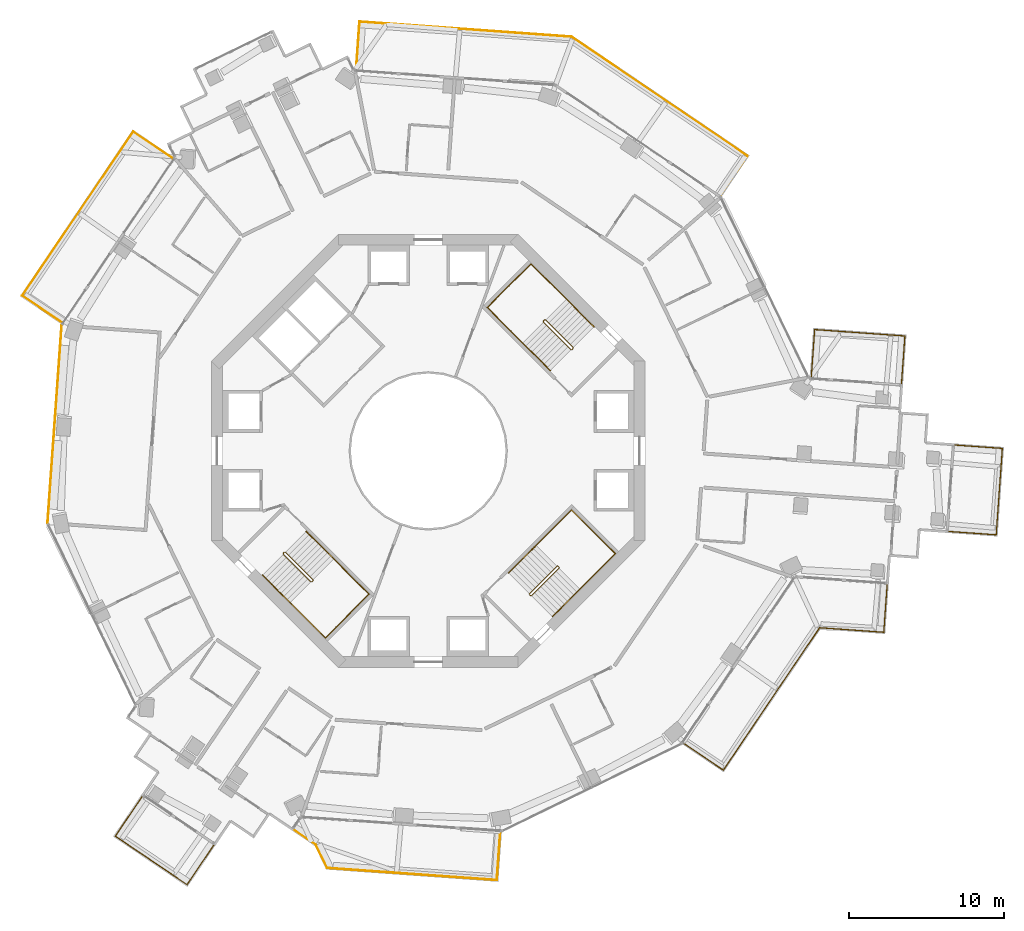
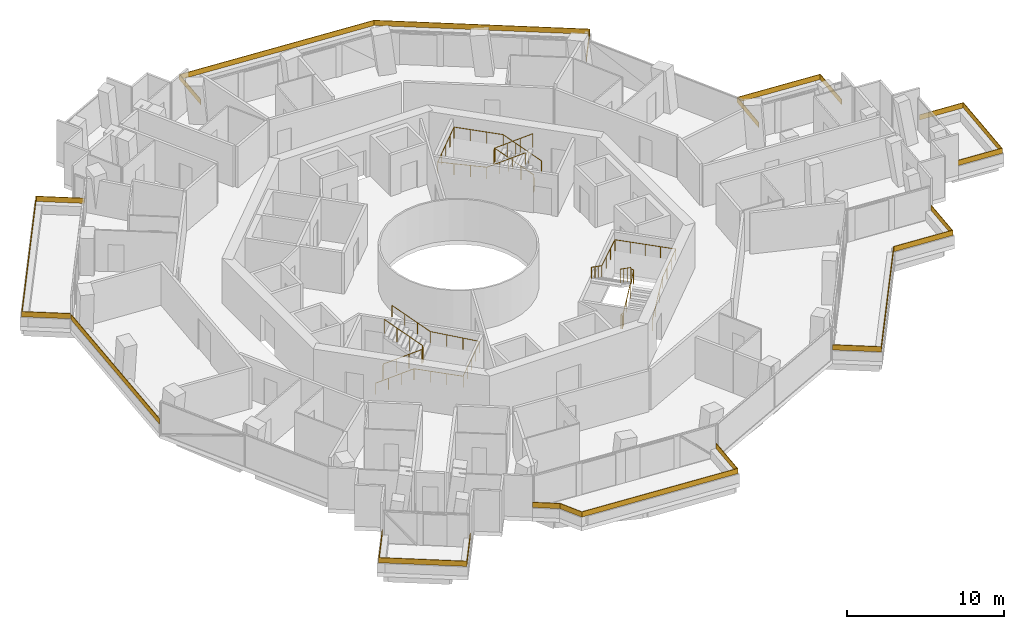
# One storey, part 22 of 22: 14 railings.
"""IFC4 building model written with IfcOpenShell, lengths in metres."""

from ifc_helpers import new_model, si_unit, direction, frame, origin, origin_2d, place, context, subcontext, project, spatial, polyline, rectangle, circle, outline, extrude, material, layer, layer_set, type_object, element, save


model = new_model("IFC4")

# Units and contexts
model_context = context("Model", 3, precision=1e-05, world=origin(), true_north=direction((0.0, 1.0)))
body_context = subcontext(model_context, "Body", "Model", "MODEL_VIEW")
ifc_project = project(units=[si_unit("LENGTHUNIT", "METRE"), si_unit("AREAUNIT", "SQUARE_METRE"), si_unit("VOLUMEUNIT", "CUBIC_METRE"), si_unit("PLANEANGLEUNIT", "RADIAN"), si_unit("MASSUNIT", "GRAM", prefix="KILO")], contexts=[model_context])

# Site, building, storey
site_placement = place(None, origin())
site = spatial("IfcSite", under=ifc_project, at=site_placement, CompositionType="ELEMENT")
building_placement = place(site_placement, origin())
building = spatial("IfcBuilding", under=site, at=building_placement, Name="Verdalira Terraces Hotel", CompositionType="ELEMENT")
storey_placement = place(building_placement, frame((0.0, 0.0, 140.0)))
storey = spatial("IfcBuildingStorey", under=building, at=storey_placement, Name="L33", CompositionType="ELEMENT", Elevation=140.0)

# Railings
ifc_material_1 = material(Name="Laminated glass", Category="glass")
ifc_layer = layer(ifc_material_1, 0.0400390625)
ifc_layer_set = layer_set([ifc_layer], Name="Balcony glass guard 400")
railing_type_1 = type_object("IfcRailingType", Name="Balcony glass guard 400", PredefinedType="GUARDRAIL", material=ifc_layer_set)
railing_1_placement = place(storey_placement, frame((0.0, 0.0, 0.699951)))
element("IfcRailing", 1, at=railing_1_placement, inside=storey, type_object=railing_type_1, Name="Balcony glass guard", PredefinedType="GUARDRAIL", context=body_context, shape_type="SweptSolid", body=[
    extrude(outline(polyline([(-19.068115, 20.603271), (-26.218262, 10.034668), (-23.667969, 8.309326), (-23.69043, 8.276367), (-26.273682, 10.023926), (-19.078857, 20.658936), (-16.495605, 18.911133), (-16.517822, 18.87793), (-19.068115, 20.603271)])), origin(), (0.0, 0.0, 1.0), 0.400146),
])
railing_2_placement = place(storey_placement, frame((0.0, 0.0, 0.699951)))
element("IfcRailing", 2, at=railing_2_placement, inside=storey, type_object=railing_type_1, Name="Balcony glass guard", PredefinedType="GUARDRAIL", context=body_context, shape_type="SweptSolid", body=[
    extrude(outline(polyline([(-20.199219, -24.895264), (-15.593994, -28.010986), (-13.868652, -25.460693), (-13.835693, -25.483154), (-15.583252, -28.066406), (-20.254639, -24.906006), (-18.50708, -22.322754), (-18.473877, -22.345215), (-20.199219, -24.895264)])), origin(), (0.0, 0.0, 1.0), 0.400146),
])
railing_3_placement = place(storey_placement, frame((0.0, 0.0, 0.699951)))
element("IfcRailing", 3, at=railing_3_placement, inside=storey, type_object=railing_type_1, Name="Balcony glass guard", PredefinedType="GUARDRAIL", context=body_context, shape_type="SweptSolid", body=[
    extrude(outline(polyline([(-7.241455, -25.451904), (-6.516602, -26.942871), (4.418701, -27.7229), (4.637695, -24.651855), (4.677734, -24.654541), (4.455811, -27.765625), (-6.54248, -26.981201), (-7.272705, -25.479004), (-8.724121, -24.496826), (-8.70166, -24.463867), (-7.241455, -25.451904)])), origin(), (0.0, 0.0, 1.0), 0.400146),
])
railing_4_placement = place(storey_placement, frame((0.0, 0.0, 0.699951)))
element("IfcRailing", 4, at=railing_4_placement, inside=storey, type_object=railing_type_1, Name="Balcony glass guard", PredefinedType="GUARDRAIL", context=body_context, shape_type="SweptSolid", body=[
    extrude(outline(polyline([(19.068115, -20.603271), (25.289062, -11.408203), (29.425781, -11.703369), (29.644775, -8.63208), (29.68457, -8.63501), (29.462646, -11.746094), (25.309082, -11.449707), (19.078857, -20.658936), (16.495605, -18.911133), (16.517822, -18.87793), (19.068115, -20.603271)])), origin(), (0.0, 0.0, 1.0), 0.400146),
])
railing_5_placement = place(storey_placement, frame((0.0, 0.0, 0.699951)))
element("IfcRailing", 5, at=railing_5_placement, inside=storey, type_object=railing_type_1, Name="Balcony glass guard", PredefinedType="GUARDRAIL", context=body_context, shape_type="SweptSolid", body=[
    extrude(outline(polyline([(36.692383, -5.404297), (37.087891, 0.141602), (34.016602, 0.360596), (34.019531, 0.400635), (37.130615, 0.178711), (36.729248, -5.447021), (33.618164, -5.225098), (33.621094, -5.185303), (36.692383, -5.404297)])), origin(), (0.0, 0.0, 1.0), 0.400146),
])
railing_6_placement = place(storey_placement, frame((0.0, 0.0, 0.699951)))
element("IfcRailing", 6, at=railing_6_placement, inside=storey, type_object=railing_type_1, Name="Balcony glass guard", PredefinedType="GUARDRAIL", context=body_context, shape_type="SweptSolid", body=[
    extrude(outline(polyline([(30.788818, 7.408203), (24.998047, 7.821289), (24.779053, 4.75), (24.739258, 4.75293), (24.961182, 7.864014), (30.831787, 7.445312), (30.609863, 4.334229), (30.569824, 4.336914), (30.788818, 7.408203)])), origin(), (0.0, 0.0, 1.0), 0.400146),
])
railing_7_placement = place(storey_placement, frame((0.0, 0.0, 0.699951)))
element("IfcRailing", 7, at=railing_7_placement, inside=storey, type_object=railing_type_1, Name="Balcony glass guard", PredefinedType="GUARDRAIL", context=body_context, shape_type="SweptSolid", body=[
    extrude(outline(polyline([(20.603271, 19.068115), (9.251709, 26.747803), (-4.418701, 27.7229), (-4.637695, 24.651855), (-4.677734, 24.654541), (-4.455811, 27.765625), (9.265381, 26.787109), (20.658936, 19.078857), (18.911133, 16.495605), (18.87793, 16.517822), (20.603271, 19.068115)])), origin(), (0.0, 0.0, 1.0), 0.400146),
])
railing_8_placement = place(storey_placement, frame((-24.146973, 1.722412, 0.699951), z_axis=(0.0, 0.0, 1.0), x_axis=(-0.071149267, -0.997465679, 0.0)))
element("IfcRailing", 8, at=railing_8_placement, inside=storey, type_object=railing_type_1, Name="Loggia glass guard", PredefinedType="GUARDRAIL", context=body_context, shape_type="SweptSolid", body=[
    extrude(rectangle(XDim=12.840088, YDim=0.040039, at=origin_2d()), origin(), (0.0, 0.0, 1.0), 0.399902),
])
ifc_material_2 = material(Name="Stainless steel", Category="steel")
railing_type_2 = type_object("IfcRailingType", Name="Stair guard 1100", PredefinedType="GUARDRAIL", material=ifc_material_2)
railing_9_placement = place(storey_placement, frame((9.369141, 6.611328, 0.0)))
element("IfcRailing", 9, at=railing_9_placement, inside=storey, type_object=railing_type_2, Name="L33 ST1 stair guard 1", PredefinedType="GUARDRAIL", context=body_context, shape_type="SweptSolid", body=[
    extrude(circle(Radius=0.023926, at=origin_2d()), frame((0.0, 0.0, 1.076172), z_axis=(-0.70832698, -0.705884473, 0.0), x_axis=(0.705884473, -0.70832698, 0.0)), (0.0, 0.0, 1.0), 0.099854),
    extrude(circle(Radius=0.023926, at=origin_2d()), frame((-0.070801, -0.070557, 1.076172), z_axis=(0.300162975, 0.599290904, 0.742127078), x_axis=(-0.894118129, 0.447831187, 0.0)), (0.0, 0.0, 1.0), 0.23584),
    extrude(circle(Radius=0.023926, at=origin_2d()), frame((0.0, 0.070801, 1.250977), z_axis=(-0.599637504, 0.599637504, 0.52997144), x_axis=(-0.707106781, -0.707106781, 0.0)), (0.0, 0.0, 1.0), 2.97168),
    extrude(circle(Radius=0.023926, at=origin_2d()), frame((-1.781982, 1.852783, 2.826172), z_axis=(-1.0, 0.0, 0.0), x_axis=(0.0, -1.0, 0.0)), (0.0, 0.0, 1.0), 0.070557),
    extrude(circle(Radius=0.023926, at=origin_2d()), frame((-1.852539, 1.852783, 2.826172), z_axis=(-0.707106781, -0.707106781, 0.0), x_axis=(0.707106781, -0.707106781, 0.0)), (0.0, 0.0, 1.0), 0.100098),
    extrude(circle(Radius=0.023926, at=origin_2d()), frame((-1.92334, 1.781982, 2.826172), z_axis=(0.0, -0.373842709, 0.927492118), x_axis=(1.0, 0.0, 0.0)), (0.0, 0.0, 1.0), 0.188721),
    extrude(circle(Radius=0.023926, at=origin_2d()), frame((-1.92334, 1.711426, 3.000977), z_axis=(0.599637504, -0.599637504, 0.52997144), x_axis=(0.707106781, 0.707106781, 0.0)), (0.0, 0.0, 1.0), 2.97168),
    extrude(circle(Radius=0.020996, at=origin_2d()), origin(), (0.0, 0.0, 1.0), 1.052002),
    extrude(circle(Radius=0.020996, at=origin_2d()), frame((-0.070801, -0.070557, 0.0)), (0.0, 0.0, 1.0), 1.052002),
    extrude(circle(Radius=0.020996, at=origin_2d()), frame((0.0, 0.070801, 0.175049)), (0.0, 0.0, 1.0), 1.052002),
    extrude(circle(Radius=0.020996, at=origin_2d()), frame((-0.593994, 0.664795, 0.699951)), (0.0, 0.0, 1.0), 1.052002),
    extrude(circle(Radius=0.020996, at=origin_2d()), frame((-1.187988, 1.258789, 1.225098)), (0.0, 0.0, 1.0), 1.052002),
    extrude(circle(Radius=0.020996, at=origin_2d()), frame((-1.781982, 1.852783, 1.75)), (0.0, 0.0, 1.0), 1.052002),
    extrude(circle(Radius=0.020996, at=origin_2d()), frame((-1.852539, 1.852783, 1.75)), (0.0, 0.0, 1.0), 1.052002),
    extrude(circle(Radius=0.020996, at=origin_2d()), frame((-1.92334, 1.781982, 1.75)), (0.0, 0.0, 1.0), 1.052002),
    extrude(circle(Radius=0.020996, at=origin_2d()), frame((-1.92334, 1.711426, 1.925049)), (0.0, 0.0, 1.0), 1.052002),
    extrude(circle(Radius=0.020996, at=origin_2d()), frame((-1.329346, 1.117432, 2.449951)), (0.0, 0.0, 1.0), 1.052002),
    extrude(circle(Radius=0.020996, at=origin_2d()), frame((-0.735352, 0.523438, 2.975098)), (0.0, 0.0, 1.0), 1.052002),
    extrude(circle(Radius=0.020996, at=origin_2d()), frame((-0.141357, -0.070557, 3.5)), (0.0, 0.0, 1.0), 1.052002),
])
railing_10_placement = place(storey_placement, frame((-9.369141, -6.611328, 0.0)))
element("IfcRailing", 10, at=railing_10_placement, inside=storey, type_object=railing_type_2, Name="L33 ST2 stair guard 1", PredefinedType="GUARDRAIL", context=body_context, shape_type="SweptSolid", body=[
    extrude(circle(Radius=0.023926, at=origin_2d()), frame((0.0, 0.0, 1.076172), z_axis=(0.70832698, 0.705884473, 0.0), x_axis=(-0.705884473, 0.70832698, 0.0)), (0.0, 0.0, 1.0), 0.099854),
    extrude(circle(Radius=0.023926, at=origin_2d()), frame((0.070801, 0.070557, 1.076172), z_axis=(-0.300162975, -0.599290904, 0.742127078), x_axis=(0.894118129, -0.447831187, 0.0)), (0.0, 0.0, 1.0), 0.23584),
    extrude(circle(Radius=0.023926, at=origin_2d()), frame((0.0, -0.070801, 1.250977), z_axis=(0.599637504, -0.599637504, 0.52997144), x_axis=(0.707106781, 0.707106781, 0.0)), (0.0, 0.0, 1.0), 2.97168),
    extrude(circle(Radius=0.023926, at=origin_2d()), frame((1.781982, -1.852783, 2.826172), z_axis=(1.0, 0.0, 0.0), x_axis=(0.0, 1.0, 0.0)), (0.0, 0.0, 1.0), 0.070557),
    extrude(circle(Radius=0.023926, at=origin_2d()), frame((1.852539, -1.852783, 2.826172), z_axis=(0.707106781, 0.707106781, 0.0), x_axis=(-0.707106781, 0.707106781, 0.0)), (0.0, 0.0, 1.0), 0.100098),
    extrude(circle(Radius=0.023926, at=origin_2d()), frame((1.92334, -1.781982, 2.826172), z_axis=(0.0, 0.373842709, 0.927492118), x_axis=(-1.0, 0.0, 0.0)), (0.0, 0.0, 1.0), 0.188721),
    extrude(circle(Radius=0.023926, at=origin_2d()), frame((1.92334, -1.711426, 3.000977), z_axis=(-0.599637504, 0.599637504, 0.52997144), x_axis=(-0.707106781, -0.707106781, 0.0)), (0.0, 0.0, 1.0), 2.97168),
    extrude(circle(Radius=0.020996, at=origin_2d()), origin(), (0.0, 0.0, 1.0), 1.052002),
    extrude(circle(Radius=0.020996, at=origin_2d()), frame((0.070801, 0.070557, 0.0)), (0.0, 0.0, 1.0), 1.052002),
    extrude(circle(Radius=0.020996, at=origin_2d()), frame((0.0, -0.070801, 0.175049)), (0.0, 0.0, 1.0), 1.052002),
    extrude(circle(Radius=0.020996, at=origin_2d()), frame((0.593994, -0.664795, 0.699951)), (0.0, 0.0, 1.0), 1.052002),
    extrude(circle(Radius=0.020996, at=origin_2d()), frame((1.187988, -1.258789, 1.225098)), (0.0, 0.0, 1.0), 1.052002),
    extrude(circle(Radius=0.020996, at=origin_2d()), frame((1.781982, -1.852783, 1.75)), (0.0, 0.0, 1.0), 1.052002),
    extrude(circle(Radius=0.020996, at=origin_2d()), frame((1.852539, -1.852783, 1.75)), (0.0, 0.0, 1.0), 1.052002),
    extrude(circle(Radius=0.020996, at=origin_2d()), frame((1.92334, -1.781982, 1.75)), (0.0, 0.0, 1.0), 1.052002),
    extrude(circle(Radius=0.020996, at=origin_2d()), frame((1.92334, -1.711426, 1.925049)), (0.0, 0.0, 1.0), 1.052002),
    extrude(circle(Radius=0.020996, at=origin_2d()), frame((1.329346, -1.117432, 2.449951)), (0.0, 0.0, 1.0), 1.052002),
    extrude(circle(Radius=0.020996, at=origin_2d()), frame((0.735352, -0.523438, 2.975098)), (0.0, 0.0, 1.0), 1.052002),
    extrude(circle(Radius=0.020996, at=origin_2d()), frame((0.141357, 0.070557, 3.5)), (0.0, 0.0, 1.0), 1.052002),
])
railing_11_placement = place(storey_placement, frame((6.611328, -9.369141, 0.0)))
element("IfcRailing", 11, at=railing_11_placement, inside=storey, type_object=railing_type_2, Name="L33 ST3 stair guard 1", PredefinedType="GUARDRAIL", context=body_context, shape_type="SweptSolid", body=[
    extrude(circle(Radius=0.023926, at=origin_2d()), frame((0.0, 0.0, 1.076172), z_axis=(-0.705884473, 0.70832698, 0.0), x_axis=(-0.70832698, -0.705884473, 0.0)), (0.0, 0.0, 1.0), 0.099854),
    extrude(circle(Radius=0.023926, at=origin_2d()), frame((-0.070557, 0.070801, 1.076172), z_axis=(0.599290904, -0.300162975, 0.742127078), x_axis=(0.447831187, 0.894118129, 0.0)), (0.0, 0.0, 1.0), 0.23584),
    extrude(circle(Radius=0.023926, at=origin_2d()), frame((0.070801, 0.0, 1.250977), z_axis=(0.599637504, 0.599637504, 0.52997144), x_axis=(-0.707106781, 0.707106781, 0.0)), (0.0, 0.0, 1.0), 2.97168),
    extrude(circle(Radius=0.023926, at=origin_2d()), frame((1.852783, 1.781982, 2.826172), z_axis=(0.0, 1.0, 0.0), x_axis=(-1.0, 0.0, 0.0)), (0.0, 0.0, 1.0), 0.070557),
    extrude(circle(Radius=0.023926, at=origin_2d()), frame((1.852783, 1.852539, 2.826172), z_axis=(-0.707106781, 0.707106781, 0.0), x_axis=(-0.707106781, -0.707106781, 0.0)), (0.0, 0.0, 1.0), 0.100098),
    extrude(circle(Radius=0.023926, at=origin_2d()), frame((1.781982, 1.92334, 2.826172), z_axis=(-0.373842709, 0.0, 0.927492118), x_axis=(0.0, -1.0, 0.0)), (0.0, 0.0, 1.0), 0.188721),
    extrude(circle(Radius=0.023926, at=origin_2d()), frame((1.711426, 1.92334, 3.000977), z_axis=(-0.599637504, -0.599637504, 0.52997144), x_axis=(0.707106781, -0.707106781, 0.0)), (0.0, 0.0, 1.0), 2.97168),
    extrude(circle(Radius=0.020996, at=origin_2d()), origin(), (0.0, 0.0, 1.0), 1.052002),
    extrude(circle(Radius=0.020996, at=origin_2d()), frame((-0.070557, 0.070801, 0.0)), (0.0, 0.0, 1.0), 1.052002),
    extrude(circle(Radius=0.020996, at=origin_2d()), frame((0.070801, 0.0, 0.175049)), (0.0, 0.0, 1.0), 1.052002),
    extrude(circle(Radius=0.020996, at=origin_2d()), frame((0.664795, 0.593994, 0.699951)), (0.0, 0.0, 1.0), 1.052002),
    extrude(circle(Radius=0.020996, at=origin_2d()), frame((1.258789, 1.187988, 1.225098)), (0.0, 0.0, 1.0), 1.052002),
    extrude(circle(Radius=0.020996, at=origin_2d()), frame((1.852783, 1.781982, 1.75)), (0.0, 0.0, 1.0), 1.052002),
    extrude(circle(Radius=0.020996, at=origin_2d()), frame((1.852783, 1.852539, 1.75)), (0.0, 0.0, 1.0), 1.052002),
    extrude(circle(Radius=0.020996, at=origin_2d()), frame((1.781982, 1.92334, 1.75)), (0.0, 0.0, 1.0), 1.052002),
    extrude(circle(Radius=0.020996, at=origin_2d()), frame((1.711426, 1.92334, 1.925049)), (0.0, 0.0, 1.0), 1.052002),
    extrude(circle(Radius=0.020996, at=origin_2d()), frame((1.117432, 1.329346, 2.449951)), (0.0, 0.0, 1.0), 1.052002),
    extrude(circle(Radius=0.020996, at=origin_2d()), frame((0.523438, 0.735352, 2.975098)), (0.0, 0.0, 1.0), 1.052002),
    extrude(circle(Radius=0.020996, at=origin_2d()), frame((-0.070557, 0.141357, 3.5)), (0.0, 0.0, 1.0), 1.052002),
])
ifc_material_3 = material(Name="Stainless steel", Category="steel")
railing_type_3 = type_object("IfcRailingType", Name="Stair handrail 900", PredefinedType="HANDRAIL", material=ifc_material_3)
railing_12_placement = place(storey_placement, frame((10.712646, 8.025635, 0.175049)))
element("IfcRailing", 12, at=railing_12_placement, inside=storey, type_object=railing_type_3, Name="L33 ST1 stair handrail 1", PredefinedType="HANDRAIL", context=body_context, shape_type="SweptSolid", body=[
    extrude(circle(Radius=0.023926, at=origin_2d()), frame((0.0, 0.0, 0.875977), z_axis=(-0.599637504, 0.599637504, 0.52997144), x_axis=(-0.707106781, -0.707106781, 0.0)), (0.0, 0.0, 1.0), 2.97168),
    extrude(circle(Radius=0.023926, at=origin_2d()), frame((-1.781982, 1.781982, 2.450684), z_axis=(-0.707106781, 0.707106781, 0.0), x_axis=(-0.707106781, -0.707106781, 0.0)), (0.0, 0.0, 1.0), 3.22998),
    extrude(circle(Radius=0.023926, at=origin_2d()), frame((-4.065918, 4.065918, 2.450684), z_axis=(-0.707106781, -0.707106781, 0.0), x_axis=(0.707106781, -0.707106781, 0.0)), (0.0, 0.0, 1.0), 4.0),
    extrude(circle(Radius=0.023926, at=origin_2d()), frame((-6.894287, 1.237549, 2.450684), z_axis=(0.706070637, -0.706070637, 0.054115729), x_axis=(0.707106781, 0.707106781, 0.0)), (0.0, 0.0, 1.0), 3.234619),
    extrude(circle(Radius=0.023926, at=origin_2d()), frame((-4.610352, -1.046387, 2.625977), z_axis=(0.599637504, -0.599637504, 0.52997144), x_axis=(0.707106781, 0.707106781, 0.0)), (0.0, 0.0, 1.0), 2.97168),
    extrude(circle(Radius=0.020996, at=origin_2d()), origin(), (0.0, 0.0, 1.0), 0.851807),
    extrude(circle(Radius=0.020996, at=origin_2d()), frame((-0.593994, 0.593994, 0.524902)), (0.0, 0.0, 1.0), 0.851807),
    extrude(circle(Radius=0.020996, at=origin_2d()), frame((-1.187988, 1.187988, 1.050049)), (0.0, 0.0, 1.0), 0.851807),
    extrude(circle(Radius=0.020996, at=origin_2d()), frame((-1.781982, 1.781982, 1.574951)), (0.0, 0.0, 1.0), 0.851807),
    extrude(circle(Radius=0.020996, at=origin_2d()), frame((-2.543213, 2.543213, 1.574951)), (0.0, 0.0, 1.0), 0.851807),
    extrude(circle(Radius=0.020996, at=origin_2d()), frame((-3.304688, 3.304688, 1.574951)), (0.0, 0.0, 1.0), 0.851807),
    extrude(circle(Radius=0.020996, at=origin_2d()), frame((-4.065918, 4.065918, 1.574951)), (0.0, 0.0, 1.0), 0.851807),
    extrude(circle(Radius=0.020996, at=origin_2d()), frame((-4.772949, 3.358887, 1.574951)), (0.0, 0.0, 1.0), 0.851807),
    extrude(circle(Radius=0.020996, at=origin_2d()), frame((-5.47998, 2.651855, 1.574951)), (0.0, 0.0, 1.0), 0.851807),
    extrude(circle(Radius=0.020996, at=origin_2d()), frame((-6.187256, 1.94458, 1.574951)), (0.0, 0.0, 1.0), 0.851807),
    extrude(circle(Radius=0.020996, at=origin_2d()), frame((-6.894287, 1.237549, 1.574951)), (0.0, 0.0, 1.0), 0.851807),
    extrude(circle(Radius=0.020996, at=origin_2d()), frame((-6.133057, 0.476318, 1.633301)), (0.0, 0.0, 1.0), 0.851807),
    extrude(circle(Radius=0.020996, at=origin_2d()), frame((-5.371582, -0.285156, 1.69165)), (0.0, 0.0, 1.0), 0.851807),
    extrude(circle(Radius=0.020996, at=origin_2d()), frame((-4.610352, -1.046387, 1.75)), (0.0, 0.0, 1.0), 0.851807),
    extrude(circle(Radius=0.020996, at=origin_2d()), frame((-4.016357, -1.640381, 2.274902)), (0.0, 0.0, 1.0), 0.851807),
    extrude(circle(Radius=0.020996, at=origin_2d()), frame((-3.422363, -2.234375, 2.800049)), (0.0, 0.0, 1.0), 0.851807),
    extrude(circle(Radius=0.020996, at=origin_2d()), frame((-2.828369, -2.828369, 3.324951)), (0.0, 0.0, 1.0), 0.851807),
])
railing_13_placement = place(storey_placement, frame((-10.712646, -8.025635, 0.175049)))
element("IfcRailing", 13, at=railing_13_placement, inside=storey, type_object=railing_type_3, Name="L33 ST2 stair handrail 1", PredefinedType="HANDRAIL", context=body_context, shape_type="SweptSolid", body=[
    extrude(circle(Radius=0.023926, at=origin_2d()), frame((0.0, 0.0, 0.875977), z_axis=(0.599637504, -0.599637504, 0.52997144), x_axis=(0.707106781, 0.707106781, 0.0)), (0.0, 0.0, 1.0), 2.97168),
    extrude(circle(Radius=0.023926, at=origin_2d()), frame((1.781982, -1.781982, 2.450684), z_axis=(0.707106781, -0.707106781, 0.0), x_axis=(0.707106781, 0.707106781, 0.0)), (0.0, 0.0, 1.0), 3.22998),
    extrude(circle(Radius=0.023926, at=origin_2d()), frame((4.065918, -4.065918, 2.450684), z_axis=(0.707106781, 0.707106781, 0.0), x_axis=(-0.707106781, 0.707106781, 0.0)), (0.0, 0.0, 1.0), 4.0),
    extrude(circle(Radius=0.023926, at=origin_2d()), frame((6.894287, -1.237549, 2.450684), z_axis=(-0.706070637, 0.706070637, 0.054115729), x_axis=(-0.707106781, -0.707106781, 0.0)), (0.0, 0.0, 1.0), 3.234619),
    extrude(circle(Radius=0.023926, at=origin_2d()), frame((4.610352, 1.046387, 2.625977), z_axis=(-0.599637504, 0.599637504, 0.52997144), x_axis=(-0.707106781, -0.707106781, 0.0)), (0.0, 0.0, 1.0), 2.97168),
    extrude(circle(Radius=0.020996, at=origin_2d()), origin(), (0.0, 0.0, 1.0), 0.851807),
    extrude(circle(Radius=0.020996, at=origin_2d()), frame((0.593994, -0.593994, 0.524902)), (0.0, 0.0, 1.0), 0.851807),
    extrude(circle(Radius=0.020996, at=origin_2d()), frame((1.187988, -1.187988, 1.050049)), (0.0, 0.0, 1.0), 0.851807),
    extrude(circle(Radius=0.020996, at=origin_2d()), frame((1.781982, -1.781982, 1.574951)), (0.0, 0.0, 1.0), 0.851807),
    extrude(circle(Radius=0.020996, at=origin_2d()), frame((2.543213, -2.543213, 1.574951)), (0.0, 0.0, 1.0), 0.851807),
    extrude(circle(Radius=0.020996, at=origin_2d()), frame((3.304688, -3.304688, 1.574951)), (0.0, 0.0, 1.0), 0.851807),
    extrude(circle(Radius=0.020996, at=origin_2d()), frame((4.065918, -4.065918, 1.574951)), (0.0, 0.0, 1.0), 0.851807),
    extrude(circle(Radius=0.020996, at=origin_2d()), frame((4.772949, -3.358887, 1.574951)), (0.0, 0.0, 1.0), 0.851807),
    extrude(circle(Radius=0.020996, at=origin_2d()), frame((5.47998, -2.651855, 1.574951)), (0.0, 0.0, 1.0), 0.851807),
    extrude(circle(Radius=0.020996, at=origin_2d()), frame((6.187256, -1.94458, 1.574951)), (0.0, 0.0, 1.0), 0.851807),
    extrude(circle(Radius=0.020996, at=origin_2d()), frame((6.894287, -1.237549, 1.574951)), (0.0, 0.0, 1.0), 0.851807),
    extrude(circle(Radius=0.020996, at=origin_2d()), frame((6.133057, -0.476318, 1.633301)), (0.0, 0.0, 1.0), 0.851807),
    extrude(circle(Radius=0.020996, at=origin_2d()), frame((5.371582, 0.285156, 1.69165)), (0.0, 0.0, 1.0), 0.851807),
    extrude(circle(Radius=0.020996, at=origin_2d()), frame((4.610352, 1.046387, 1.75)), (0.0, 0.0, 1.0), 0.851807),
    extrude(circle(Radius=0.020996, at=origin_2d()), frame((4.016357, 1.640381, 2.274902)), (0.0, 0.0, 1.0), 0.851807),
    extrude(circle(Radius=0.020996, at=origin_2d()), frame((3.422363, 2.234375, 2.800049)), (0.0, 0.0, 1.0), 0.851807),
    extrude(circle(Radius=0.020996, at=origin_2d()), frame((2.828369, 2.828369, 3.324951)), (0.0, 0.0, 1.0), 0.851807),
])
railing_14_placement = place(storey_placement, frame((8.025635, -10.712646, 0.175049)))
element("IfcRailing", 14, at=railing_14_placement, inside=storey, type_object=railing_type_3, Name="L33 ST3 stair handrail 1", PredefinedType="HANDRAIL", context=body_context, shape_type="SweptSolid", body=[
    extrude(circle(Radius=0.023926, at=origin_2d()), frame((0.0, 0.0, 0.875977), z_axis=(0.599637504, 0.599637504, 0.52997144), x_axis=(-0.707106781, 0.707106781, 0.0)), (0.0, 0.0, 1.0), 2.97168),
    extrude(circle(Radius=0.023926, at=origin_2d()), frame((1.781982, 1.781982, 2.450684), z_axis=(0.707106781, 0.707106781, 0.0), x_axis=(-0.707106781, 0.707106781, 0.0)), (0.0, 0.0, 1.0), 3.22998),
    extrude(circle(Radius=0.023926, at=origin_2d()), frame((4.065918, 4.065918, 2.450684), z_axis=(-0.707106781, 0.707106781, 0.0), x_axis=(-0.707106781, -0.707106781, 0.0)), (0.0, 0.0, 1.0), 4.0),
    extrude(circle(Radius=0.023926, at=origin_2d()), frame((1.237549, 6.894287, 2.450684), z_axis=(-0.706070637, -0.706070637, 0.054115729), x_axis=(0.707106781, -0.707106781, 0.0)), (0.0, 0.0, 1.0), 3.234619),
    extrude(circle(Radius=0.023926, at=origin_2d()), frame((-1.046387, 4.610352, 2.625977), z_axis=(-0.599637504, -0.599637504, 0.52997144), x_axis=(0.707106781, -0.707106781, 0.0)), (0.0, 0.0, 1.0), 2.97168),
    extrude(circle(Radius=0.020996, at=origin_2d()), origin(), (0.0, 0.0, 1.0), 0.851807),
    extrude(circle(Radius=0.020996, at=origin_2d()), frame((0.593994, 0.593994, 0.524902)), (0.0, 0.0, 1.0), 0.851807),
    extrude(circle(Radius=0.020996, at=origin_2d()), frame((1.187988, 1.187988, 1.050049)), (0.0, 0.0, 1.0), 0.851807),
    extrude(circle(Radius=0.020996, at=origin_2d()), frame((1.781982, 1.781982, 1.574951)), (0.0, 0.0, 1.0), 0.851807),
    extrude(circle(Radius=0.020996, at=origin_2d()), frame((2.543213, 2.543213, 1.574951)), (0.0, 0.0, 1.0), 0.851807),
    extrude(circle(Radius=0.020996, at=origin_2d()), frame((3.304688, 3.304688, 1.574951)), (0.0, 0.0, 1.0), 0.851807),
    extrude(circle(Radius=0.020996, at=origin_2d()), frame((4.065918, 4.065918, 1.574951)), (0.0, 0.0, 1.0), 0.851807),
    extrude(circle(Radius=0.020996, at=origin_2d()), frame((3.358887, 4.772949, 1.574951)), (0.0, 0.0, 1.0), 0.851807),
    extrude(circle(Radius=0.020996, at=origin_2d()), frame((2.651855, 5.47998, 1.574951)), (0.0, 0.0, 1.0), 0.851807),
    extrude(circle(Radius=0.020996, at=origin_2d()), frame((1.94458, 6.187256, 1.574951)), (0.0, 0.0, 1.0), 0.851807),
    extrude(circle(Radius=0.020996, at=origin_2d()), frame((1.237549, 6.894287, 1.574951)), (0.0, 0.0, 1.0), 0.851807),
    extrude(circle(Radius=0.020996, at=origin_2d()), frame((0.476318, 6.133057, 1.633301)), (0.0, 0.0, 1.0), 0.851807),
    extrude(circle(Radius=0.020996, at=origin_2d()), frame((-0.285156, 5.371582, 1.69165)), (0.0, 0.0, 1.0), 0.851807),
    extrude(circle(Radius=0.020996, at=origin_2d()), frame((-1.046387, 4.610352, 1.75)), (0.0, 0.0, 1.0), 0.851807),
    extrude(circle(Radius=0.020996, at=origin_2d()), frame((-1.640381, 4.016357, 2.274902)), (0.0, 0.0, 1.0), 0.851807),
    extrude(circle(Radius=0.020996, at=origin_2d()), frame((-2.234375, 3.422363, 2.800049)), (0.0, 0.0, 1.0), 0.851807),
    extrude(circle(Radius=0.020996, at=origin_2d()), frame((-2.828369, 2.828369, 3.324951)), (0.0, 0.0, 1.0), 0.851807),
])

save(model, "model.ifc")
